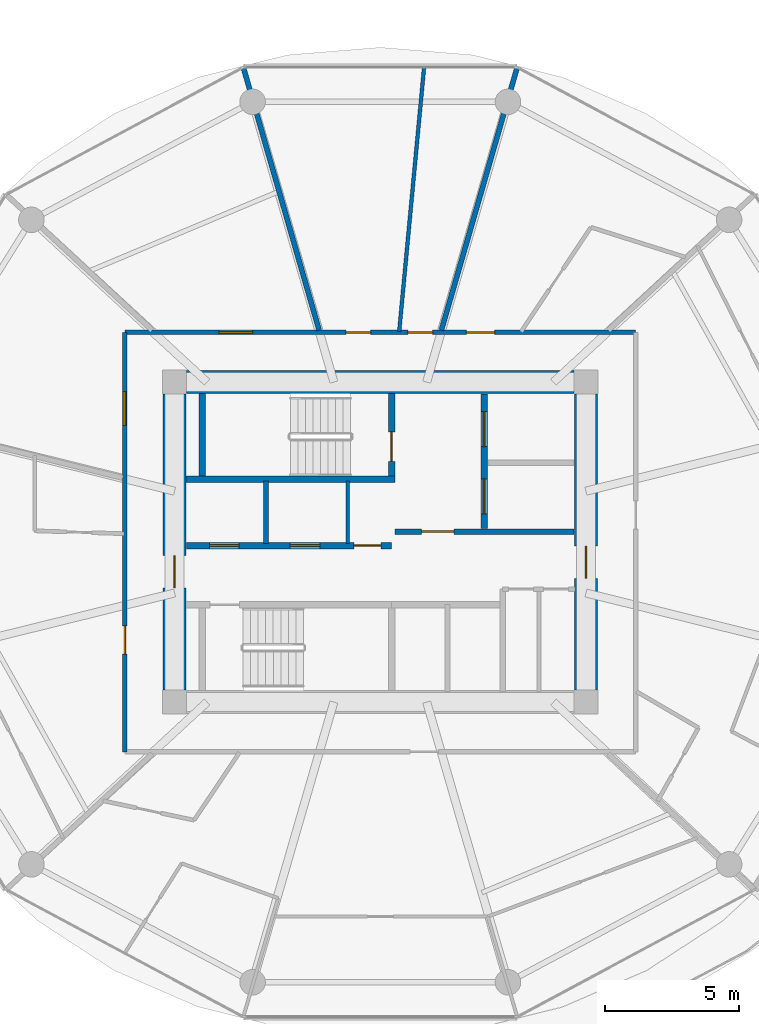
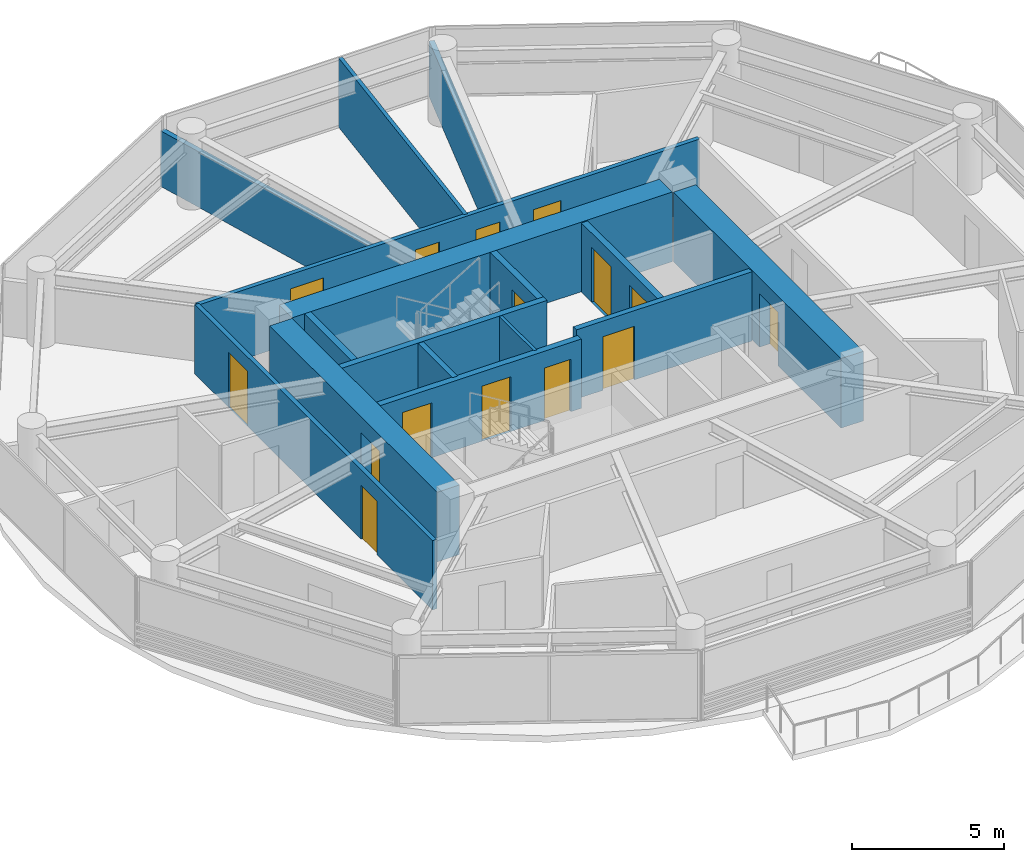
# One storey, part 20 of 27: 16 walls, 15 doors, 15 openings.
"""IFC4 building model written with IfcOpenShell, lengths in metres."""

import ifcopenshell
import ifcopenshell.guid

model = None  # the IFC model being written
_history = None  # IfcOwnerHistory: only IFC2X3 demands one
_inside = {}  # id of a spatial element -> (the spatial element, [elements in it])
_under = {}  # id of a project, library or spatial element -> (it, [spatial elements below it])
_declared = {}  # id of a project -> (the project, [libraries it declares])
_typed = {}  # id of a type object -> (the type object, [elements of that type])
_made_of = {}  # id of a material, layer set ... -> (it, [elements and type objects made of it])


def new_model(schema):
    """Start an empty IFC model of exactly this schema.

    Asked for "IFC4X3", IfcOpenShell would pick the latest addendum, in which some entities
    have other attributes; the version numbers below select the first issue.
    IFC2X3 requires an IfcOwnerHistory on every rooted entity: one is made here for all.
    """
    global model, _history
    if schema == "IFC4X3":
        model = ifcopenshell.file(schema_version=(4, 3, 0, 0))
    else:
        model = ifcopenshell.file(schema=schema)
    _inside.clear()
    _under.clear()
    _declared.clear()
    _typed.clear()
    _made_of.clear()
    _history = None
    if model.schema == "IFC2X3":
        org = make("IfcOrganization", Name="unknown")
        user = make(
            "IfcPersonAndOrganization",
            ThePerson=make("IfcPerson", FamilyName="unknown"),
            TheOrganization=org,
        )
        app = make(
            "IfcApplication",
            ApplicationDeveloper=org,
            Version="unknown",
            ApplicationFullName="unknown",
            ApplicationIdentifier="unknown",
        )
        _history = make(
            "IfcOwnerHistory",
            OwningUser=user,
            OwningApplication=app,
            ChangeAction="ADDED",
            CreationDate=0,
        )
    return model


def make(cls, **values):
    """One entity of the class cls with the attributes given. An attribute that is None is left unset."""
    return model.create_entity(
        cls, **{name: value for name, value in values.items() if value is not None}
    )


def rooted(cls, **values):
    """An entity with a GlobalId (a new one), such as an element, a storey or a relation."""
    return make(cls, GlobalId=ifcopenshell.guid.new(), OwnerHistory=_history, **values)


def si_unit(unit_type, name, prefix=None):
    """IfcSIUnit, for example si_unit("LENGTHUNIT", "METRE", prefix="MILLI")."""
    return make("IfcSIUnit", UnitType=unit_type, Prefix=prefix, Name=name)


def assignment(units):
    """IfcUnitAssignment: the units of a project."""
    return None if units is None else make("IfcUnitAssignment", Units=units)


def point(xyz):
    """IfcCartesianPoint."""
    return None if xyz is None else make("IfcCartesianPoint", Coordinates=xyz)


def direction(xyz):
    """IfcDirection."""
    return None if xyz is None else make("IfcDirection", DirectionRatios=xyz)


def frame(location, z_axis=None, x_axis=None):
    """IfcAxis2Placement3D, a coordinate frame: its origin and axes. An axis left out is left unset."""
    return make(
        "IfcAxis2Placement3D",
        Location=point(location),
        Axis=direction(z_axis),
        RefDirection=direction(x_axis),
    )


def frame_2d(location, x_axis=None):
    """IfcAxis2Placement2D, a coordinate frame in the plane: its origin and x axis."""
    return make(
        "IfcAxis2Placement2D", Location=point(location), RefDirection=direction(x_axis)
    )


def origin():
    """The frame at (0, 0, 0) with its axes left unset."""
    return frame((0.0, 0.0, 0.0))


def place(relative_to, where):
    """IfcLocalPlacement: puts the frame where relative to a parent placement (None: the world)."""
    return make(
        "IfcLocalPlacement", PlacementRelTo=relative_to, RelativePlacement=where
    )


def context(
    kind, dimensions, precision=None, world=None, true_north=None, identifier=None
):
    """IfcGeometricRepresentationContext, for example the 3D "Model" context."""
    return make(
        "IfcGeometricRepresentationContext",
        ContextIdentifier=identifier,
        ContextType=kind,
        CoordinateSpaceDimension=dimensions,
        Precision=precision,
        WorldCoordinateSystem=world,
        TrueNorth=true_north,
    )


def subcontext(parent, identifier, kind, view, scale=None):
    """IfcGeometricRepresentationSubContext, for example "Body" below "Model"."""
    return make(
        "IfcGeometricRepresentationSubContext",
        ContextIdentifier=identifier,
        ContextType=kind,
        ParentContext=parent,
        TargetScale=scale,
        TargetView=view,
    )


def project(units=None, contexts=None):
    """IfcProject with its units and contexts."""
    return rooted(
        "IfcProject",
        Name="project",
        RepresentationContexts=contexts,
        UnitsInContext=assignment(units),
    )


def spatial(cls, under=None, at=None, **own):
    """A site, building, storey or space (cls), placed at a placement, below another one or the project."""
    s = rooted(cls, ObjectPlacement=at, **own)
    if under is not None:
        _under.setdefault(under.id(), (under, []))[1].append(s)
    return s


def profile(cls, at=None, kind="AREA", **sizes):
    """A parametric profile (cls). Its sizes go by their IFC names, for example OverallWidth=200.0."""
    return make(cls, ProfileType=kind, Position=at, **sizes)


def rectangle(**sizes):
    """IfcRectangleProfileDef."""
    return profile("IfcRectangleProfileDef", **sizes)


def extrude(swept, where, along, depth):
    """IfcExtrudedAreaSolid: the profile swept, set in the frame where, extruded along a direction by depth."""
    return make(
        "IfcExtrudedAreaSolid",
        SweptArea=swept,
        Position=where,
        ExtrudedDirection=direction(along),
        Depth=depth,
    )


def shape(context_of_items, identifier, shape_type, items):
    """IfcShapeRepresentation: the items that make up one representation, for example the "Body"."""
    return make(
        "IfcShapeRepresentation",
        ContextOfItems=context_of_items,
        RepresentationIdentifier=identifier,
        RepresentationType=shape_type,
        Items=items,
    )


def source(mapping_origin, context_of_items, identifier, shape_type, items):
    """IfcRepresentationMap: a shape defined once, which mapped items show again and again."""
    return make(
        "IfcRepresentationMap",
        MappingOrigin=mapping_origin,
        MappedRepresentation=shape(context_of_items, identifier, shape_type, items),
    )


def transform(
    local_origin,
    x_axis=None,
    y_axis=None,
    z_axis=None,
    scale=None,
    scale2=None,
    scale3=None,
    uniform=True,
):
    """IfcCartesianTransformationOperator3D, or its non-uniform kind. x_axis, y_axis, z_axis: its Axis1, 2, 3."""
    if uniform:
        return make(
            "IfcCartesianTransformationOperator3D",
            Axis1=direction(x_axis),
            Axis2=direction(y_axis),
            LocalOrigin=point(local_origin),
            Scale=scale,
            Axis3=direction(z_axis),
        )
    return make(
        "IfcCartesianTransformationOperator3DnonUniform",
        Axis1=direction(x_axis),
        Axis2=direction(y_axis),
        LocalOrigin=point(local_origin),
        Scale=scale,
        Axis3=direction(z_axis),
        Scale2=scale2,
        Scale3=scale3,
    )


def mapped(mapping_source, mapping_target):
    """IfcMappedItem: shows the shape of a source again, moved by a transform."""
    return make(
        "IfcMappedItem", MappingSource=mapping_source, MappingTarget=mapping_target
    )


def material(Name=None, Category=None):
    """IfcMaterial."""
    return make("IfcMaterial", Name=Name, Category=Category)


def layer(
    of_material, thickness, ventilated=None, Name=None, Category=None, Priority=None
):
    """IfcMaterialLayer: one layer of a wall or slab, of a material (None: an air gap)."""
    return make(
        "IfcMaterialLayer",
        Material=of_material,
        LayerThickness=thickness,
        IsVentilated=ventilated,
        Name=Name,
        Category=Category,
        Priority=Priority,
    )


def layer_set(layers, Name=None):
    """IfcMaterialLayerSet."""
    return make("IfcMaterialLayerSet", MaterialLayers=layers, LayerSetName=Name)


def made_of(thing, what):
    """Note that an element or type object is made of a material, layer set ...; save() writes the relation."""
    if what is not None:
        _made_of.setdefault(what.id(), (what, []))[1].append(thing)
    return thing


def type_object(cls, material=None, **own):
    """A type object (cls), such as IfcWallType, which elements share."""
    return made_of(rooted(cls, **own), material)


def type_shapes(of_type, sources):
    """Give a type object the sources (RepresentationMaps) that its elements show as mapped items."""
    of_type.RepresentationMaps = sources


def element(
    cls,
    number,
    at=None,
    inside=None,
    cuts=None,
    type_object=None,
    material=None,
    context=None,
    identifier="Body",
    shape_type=None,
    held_by="IfcProductDefinitionShape",
    body=None,
    shapes=None,
    **own,
):
    """One element of the class cls, such as IfcWall. Its Tag is "e" and its number.

    at: its placement. inside: the storey or other place that contains it. cuts: it is an
    opening in that element (IfcRelVoidsElement). A single representation is given by context,
    identifier, shape_type and body (its items); several are given by shapes. held_by: the class
    of the entity that holds the representations. save() writes the other relations.
    """
    e = rooted(cls, Tag="e%d" % number, ObjectPlacement=at, **own)
    if body is not None:
        shapes = [shape(context, identifier, shape_type, body)]
    if shapes is not None:
        e.Representation = make(held_by, Representations=shapes)
    if inside is not None:
        _inside.setdefault(inside.id(), (inside, []))[1].append(e)
    if cuts is not None:
        rooted(
            "IfcRelVoidsElement", RelatingBuildingElement=cuts, RelatedOpeningElement=e
        )
    if type_object is not None:
        _typed.setdefault(type_object.id(), (type_object, []))[1].append(e)
    return made_of(e, material)


def fill(opening, filler):
    """IfcRelFillsElement: the door or window that sits in an opening."""
    return rooted(
        "IfcRelFillsElement",
        RelatingOpeningElement=opening,
        RelatedBuildingElement=filler,
    )


def aggregate(whole, parts):
    """IfcRelAggregates: a whole, such as a stair, and the parts it consists of."""
    return rooted("IfcRelAggregates", RelatingObject=whole, RelatedObjects=parts)


def save(model, path):
    """Write the relations noted so far, then the file.

    IfcRelAggregates (storeys below a building ...), IfcRelContainedInSpatialStructure (elements
    in a storey), IfcRelDefinesByType, IfcRelAssociatesMaterial and IfcRelDeclares: one each for
    every whole, place, type object, material and project.
    """
    for whole, parts in _under.values():
        aggregate(whole, parts)
    for where, things in _inside.values():
        rooted(
            "IfcRelContainedInSpatialStructure",
            RelatedElements=things,
            RelatingStructure=where,
        )
    for kind, things in _typed.values():
        rooted("IfcRelDefinesByType", RelatedObjects=things, RelatingType=kind)
    for what, things in _made_of.values():
        rooted("IfcRelAssociatesMaterial", RelatedObjects=things, RelatingMaterial=what)
    for by, libraries in _declared.values():
        rooted("IfcRelDeclares", RelatingContext=by, RelatedDefinitions=libraries)
    model.write(path)


model = new_model("IFC4")

# Units and contexts
model_context = context("Model", 3, precision=1e-05, world=origin(), true_north=direction((0.0, 1.0)))
body_context = subcontext(model_context, "Body", "Model", "MODEL_VIEW")
ifc_project = project(units=[si_unit("LENGTHUNIT", "METRE"), si_unit("AREAUNIT", "SQUARE_METRE"), si_unit("VOLUMEUNIT", "CUBIC_METRE"), si_unit("PLANEANGLEUNIT", "RADIAN"), si_unit("MASSUNIT", "GRAM", prefix="KILO")], contexts=[model_context])

# Site, building, storey
site_placement = place(None, origin())
site = spatial("IfcSite", under=ifc_project, at=site_placement, CompositionType="ELEMENT")
building_placement = place(site_placement, origin())
building = spatial("IfcBuilding", under=site, at=building_placement, Name="Norrkilde Senior Care Towers", CompositionType="ELEMENT")
storey_placement = place(building_placement, frame((0.0, 0.0, 30.75)))
storey = spatial("IfcBuildingStorey", under=building, at=storey_placement, Name="L08", CompositionType="ELEMENT", Elevation=30.75)

# Wall
ifc_material_1 = material(Name="Concrete C60/75", Category="concrete")
ifc_layer_1 = layer(ifc_material_1, 0.85009765625)
ifc_layer_set_1 = layer_set([ifc_layer_1], Name="Concrete C60/75")
wall_type_1 = type_object("IfcWallType", Name="Core Shear Wall Z1 850", PredefinedType="SHEAR", material=ifc_layer_set_1)
shared_shape_1 = source(origin(), body_context, "Body", "SweptSolid", [
    extrude(rectangle(XDim=14.39990234375, YDim=0.85009765625, at=frame_2d((7.199951171875, 0.0))), origin(), (0.0, 0.0, 1.0), 2.7900390625),
])
wall_1_placement = place(storey_placement, frame((20.800048828125, 5.949951171875, 0.0), z_axis=(0.0, 0.0, 1.0), x_axis=(1.0, 0.0, 0.0)))
element("IfcWall", 1, at=wall_1_placement, inside=storey, type_object=wall_type_1, Name="L08 Core E North Shear Wall", PredefinedType="SHEAR", context=body_context, shape_type="MappedRepresentation", body=[
    mapped(shared_shape_1, transform((0.0, 0.0, 0.0), x_axis=(1.0, 0.0, 0.0), y_axis=(0.0, 1.0, 0.0), z_axis=(0.0, 0.0, 1.0), scale=1.0)),
])

# Wall, opening, door
shared_shape_2 = source(origin(), body_context, "Body", "SweptSolid", [
    extrude(rectangle(XDim=11.0, YDim=0.85009765625, at=frame_2d((5.5, 0.0))), origin(), (0.0, 0.0, 1.0), 2.7900390625),
])
type_shapes(wall_type_1, [shared_shape_1, shared_shape_2])
wall_2_placement = place(storey_placement, frame((20.35009765625, -5.5, 0.0), z_axis=(0.0, 0.0, 1.0), x_axis=(0.0, 1.0, 0.0)))
wall_2 = element("IfcWall", 2, at=wall_2_placement, inside=storey, type_object=wall_type_1, Name="L08 Core E West Shear Wall", PredefinedType="SHEAR", context=body_context, shape_type="MappedRepresentation", body=[
    mapped(shared_shape_2, transform((0.0, 0.0, 0.0), x_axis=(1.0, 0.0, 0.0), y_axis=(0.0, 1.0, 0.0), z_axis=(0.0, 0.0, 1.0), scale=1.0)),
])
opening_1_placement = place(wall_2_placement, frame((3.800048828125, 0.0, 0.0)))
opening_1 = element("IfcOpeningElement", 3, at=opening_1_placement, cuts=wall_2, Name="Opening D-04", PredefinedType="OPENING", context=body_context, shape_type="SweptSolid", body=[
    extrude(rectangle(XDim=1.199951171875, YDim=2.14990234375, at=frame_2d((0.60009765625, 1.074951171875))), frame((0.0, 0.43505859375, 0.0), z_axis=(0.0, -1.0, 0.0), x_axis=(1.0, 0.0, 0.0)), (0.0, 0.0, 1.0), 0.8701171875),
])
ifc_material_2 = material(Name="Galvanised Painted Steel", Category="steel")
door_type_1 = type_object("IfcDoorType", Name="Firefighting Lobby Fire Door 1200x2150", OperationType="NOTDEFINED", PredefinedType="DOOR", material=ifc_material_2)
shared_shape_3 = source(origin(), body_context, "Body", "SweptSolid", [
    extrude(rectangle(XDim=1.199951171875, YDim=2.14990234375, at=frame_2d((0.60009765625, 1.074951171875))), frame((0.0, 0.02490234375, 0.0), z_axis=(0.0, -1.0, 0.0), x_axis=(1.0, 0.0, 0.0)), (0.0, 0.0, 1.0), 0.050048828125),
])
type_shapes(door_type_1, [shared_shape_3])
door_1_placement = place(opening_1_placement, frame((1.199951171875, 0.0, 0.0), z_axis=(0.0, 0.0, 1.0), x_axis=(-1.0, 0.0, 0.0)))
door_1 = element("IfcDoor", 4, at=door_1_placement, inside=storey, type_object=door_type_1, Name="L08 Core E West Portal Door", OperationType="SINGLE_SWING_LEFT", OverallHeight=2.14990234375, OverallWidth=1.199951171875, PredefinedType="DOOR", context=body_context, shape_type="MappedRepresentation", body=[
    mapped(shared_shape_3, transform((0.0, 0.0, 0.0), x_axis=(1.0, 0.0, 0.0), y_axis=(0.0, 1.0, 0.0), z_axis=(0.0, 0.0, 1.0), scale=1.0)),
])
fill(opening_1, door_1)

wall_3_placement = place(storey_placement, frame((35.64990234375, 5.5, 0.0), z_axis=(0.0, 0.0, 1.0), x_axis=(0.0, -1.0, 0.0)))
wall_3 = element("IfcWall", 5, at=wall_3_placement, inside=storey, type_object=wall_type_1, Name="L08 Core E East Shear Wall", PredefinedType="SHEAR", context=body_context, shape_type="MappedRepresentation", body=[
    mapped(shared_shape_2, transform((0.0, 0.0, 0.0), x_axis=(1.0, 0.0, 0.0), y_axis=(0.0, 1.0, 0.0), z_axis=(0.0, 0.0, 1.0), scale=1.0)),
])
opening_2_placement = place(wall_3_placement, frame((5.64990234375, 0.0, 0.0)))
opening_2 = element("IfcOpeningElement", 6, at=opening_2_placement, cuts=wall_3, Name="Opening D-04", PredefinedType="OPENING", context=body_context, shape_type="SweptSolid", body=[
    extrude(rectangle(XDim=1.199951171875, YDim=2.14990234375, at=frame_2d((0.60009765625, 1.074951171875))), frame((0.0, 0.43505859375, 0.0), z_axis=(0.0, -1.0, 0.0), x_axis=(1.0, 0.0, 0.0)), (0.0, 0.0, 1.0), 0.8701171875),
])
door_2_placement = place(opening_2_placement, frame((1.199951171875, 0.0, 0.0), z_axis=(0.0, 0.0, 1.0), x_axis=(-1.0, 0.0, 0.0)))
door_2 = element("IfcDoor", 7, at=door_2_placement, inside=storey, type_object=door_type_1, Name="L08 Core E East Portal Door", OperationType="SINGLE_SWING_RIGHT", OverallHeight=2.14990234375, OverallWidth=1.199951171875, PredefinedType="DOOR", context=body_context, shape_type="MappedRepresentation", body=[
    mapped(shared_shape_3, transform((0.0, 0.0, 0.0), x_axis=(1.0, 0.0, 0.0), y_axis=(0.0, 1.0, 0.0), z_axis=(0.0, 0.0, 1.0), scale=1.0)),
])
fill(opening_2, door_2)

# Wall, openings, doors
ifc_material_3 = material(Name="Concrete C45/55", Category="concrete")
ifc_layer_2 = layer(ifc_material_3, 0.239990234375)
ifc_layer_set_2 = layer_set([ifc_layer_2], Name="Concrete C45/55")
wall_type_2 = type_object("IfcWallType", Name="Lift and Plant Rated Enclosure Partition 240", PredefinedType="PARTITIONING", material=ifc_layer_set_2)
shared_shape_4 = source(origin(), body_context, "Body", "SweptSolid", [
    extrude(rectangle(XDim=5.0, YDim=0.239990234375, at=frame_2d((2.5, 0.0))), origin(), (0.0, 0.0, 1.0), 2.77490234375),
])
wall_4_placement = place(storey_placement, frame((31.860107421875, 0.5, 0.0), z_axis=(0.0, 0.0, 1.0), x_axis=(0.0, 1.0, 0.0)))
wall_4 = element("IfcWall", 8, at=wall_4_placement, inside=storey, type_object=wall_type_2, Name="WL-INT-L08-E-FFLE", PredefinedType="PARTITIONING", context=body_context, shape_type="MappedRepresentation", body=[
    mapped(shared_shape_4, transform((0.0, 0.0, 0.0), x_axis=(1.0, 0.0, 0.0), y_axis=(0.0, 1.0, 0.0), z_axis=(0.0, 0.0, 1.0), scale=1.0)),
])
opening_3_placement = place(wall_4_placement, frame((3.050048828125, 0.0, 0.0)))
opening_3 = element("IfcOpeningElement", 9, at=opening_3_placement, cuts=wall_4, Name="Opening LD-02", PredefinedType="OPENING", context=body_context, shape_type="SweptSolid", body=[
    extrude(rectangle(XDim=1.300048828125, YDim=2.199951171875, at=frame_2d((0.64990234375, 1.10009765625))), frame((0.0, 0.1298828125, 0.0), z_axis=(0.0, -1.0, 0.0), x_axis=(1.0, 0.0, 0.0)), (0.0, 0.0, 1.0), 0.260009765625),
])
opening_4_placement = place(wall_4_placement, frame((0.550048828125, 0.0, 0.0)))
opening_4 = element("IfcOpeningElement", 10, at=opening_4_placement, cuts=wall_4, Name="Opening LD-02", PredefinedType="OPENING", context=body_context, shape_type="SweptSolid", body=[
    extrude(rectangle(XDim=1.300048828125, YDim=2.199951171875, at=frame_2d((0.64990234375, 1.10009765625))), frame((0.0, 0.1298828125, 0.0), z_axis=(0.0, -1.0, 0.0), x_axis=(1.0, 0.0, 0.0)), (0.0, 0.0, 1.0), 0.260009765625),
])
ifc_material_4 = material(Name="Stainless Steel", Category="steel")
door_type_2 = type_object("IfcDoorType", Name="Stretcher and FFL Landing Sliding Door 1300x2200", OperationType="NOTDEFINED", PredefinedType="DOOR", material=ifc_material_4)
shared_shape_5 = source(origin(), body_context, "Body", "SweptSolid", [
    extrude(rectangle(XDim=1.300048828125, YDim=2.199951171875, at=frame_2d((0.64990234375, 1.10009765625))), frame((0.0, 0.02490234375, 0.0), z_axis=(0.0, -1.0, 0.0), x_axis=(1.0, 0.0, 0.0)), (0.0, 0.0, 1.0), 0.050048828125),
])
type_shapes(door_type_2, [shared_shape_5])
door_3_placement = place(opening_3_placement, origin())
door_3 = element("IfcDoor", 11, at=door_3_placement, inside=storey, type_object=door_type_2, Name="L08 Firefighting Lift E1 Landing Door", OperationType="SLIDING_TO_LEFT", OverallHeight=2.199951171875, OverallWidth=1.300048828125, PredefinedType="DOOR", context=body_context, shape_type="MappedRepresentation", body=[
    mapped(shared_shape_5, transform((0.0, 0.0, 0.0), x_axis=(1.0, 0.0, 0.0), y_axis=(0.0, 1.0, 0.0), z_axis=(0.0, 0.0, 1.0), scale=1.0)),
])
fill(opening_3, door_3)
door_4_placement = place(opening_4_placement, origin())
door_4 = element("IfcDoor", 12, at=door_4_placement, inside=storey, type_object=door_type_2, Name="L08 Stretcher Lift E1 Landing Door", OperationType="SLIDING_TO_RIGHT", OverallHeight=2.199951171875, OverallWidth=1.300048828125, PredefinedType="DOOR", context=body_context, shape_type="MappedRepresentation", body=[
    mapped(shared_shape_5, transform((0.0, 0.0, 0.0), x_axis=(1.0, 0.0, 0.0), y_axis=(0.0, 1.0, 0.0), z_axis=(0.0, 0.0, 1.0), scale=1.0)),
])
fill(opening_4, door_4)

# Wall, opening, door
ifc_layer_3 = layer(ifc_material_3, 0.2099609375)
ifc_layer_set_3 = layer_set([ifc_layer_3], Name="Concrete C45/55")
wall_type_3 = type_object("IfcWallType", Name="Firefighting Lobby Wall 210", PredefinedType="PARTITIONING", material=ifc_layer_set_3)
shared_shape_6 = source(origin(), body_context, "Body", "SweptSolid", [
    extrude(rectangle(XDim=6.659912109375, YDim=0.2099609375, at=frame_2d((3.330078125, 0.0))), origin(), (0.0, 0.0, 1.0), 2.77490234375),
])
type_shapes(wall_type_3, [shared_shape_6])
wall_5_placement = place(storey_placement, frame((28.5400390625, 0.389892578125, 0.0), z_axis=(0.0, 0.0, 1.0), x_axis=(1.0, 0.0, 0.0)))
wall_5 = element("IfcWall", 13, at=wall_5_placement, inside=storey, type_object=wall_type_3, Name="WL-INT-L08-E-FFLS", PredefinedType="PARTITIONING", context=body_context, shape_type="MappedRepresentation", body=[
    mapped(shared_shape_6, transform((0.0, 0.0, 0.0), x_axis=(1.0, 0.0, 0.0), y_axis=(0.0, 1.0, 0.0), z_axis=(0.0, 0.0, 1.0), scale=1.0)),
])
opening_5_placement = place(wall_5_placement, frame((1.0, 0.0, 0.0)))
opening_5 = element("IfcOpeningElement", 14, at=opening_5_placement, cuts=wall_5, Name="Opening D-04", PredefinedType="OPENING", context=body_context, shape_type="SweptSolid", body=[
    extrude(rectangle(XDim=1.199951171875, YDim=2.14990234375, at=frame_2d((0.60009765625, 1.074951171875))), frame((0.0, 0.114990234375, 0.0), z_axis=(0.0, -1.0, 0.0), x_axis=(1.0, 0.0, 0.0)), (0.0, 0.0, 1.0), 0.22998046875),
])
door_5_placement = place(opening_5_placement, frame((1.199951171875, 0.0, 0.0), z_axis=(0.0, 0.0, 1.0), x_axis=(-1.0, 0.0, 0.0)))
door_5 = element("IfcDoor", 15, at=door_5_placement, inside=storey, type_object=door_type_1, Name="L08 Firefighting Lobby E Door", OperationType="SINGLE_SWING_LEFT", OverallHeight=2.14990234375, OverallWidth=1.199951171875, PredefinedType="DOOR", context=body_context, shape_type="MappedRepresentation", body=[
    mapped(shared_shape_3, transform((0.0, 0.0, 0.0), x_axis=(1.0, 0.0, 0.0), y_axis=(0.0, 1.0, 0.0), z_axis=(0.0, 0.0, 1.0), scale=1.0)),
])
fill(opening_5, door_5)

# Wall, openings, doors
shared_shape_7 = source(origin(), body_context, "Body", "SweptSolid", [
    extrude(rectangle(XDim=7.619873046875, YDim=0.239990234375, at=frame_2d((3.81005859375, 0.0))), origin(), (0.0, 0.0, 1.0), 2.77490234375),
])
type_shapes(wall_type_2, [shared_shape_4, shared_shape_7])
wall_6_placement = place(storey_placement, frame((20.800048828125, -0.1298828125, 0.0), z_axis=(0.0, 0.0, 1.0), x_axis=(1.0, 0.0, 0.0)))
wall_6 = element("IfcWall", 16, at=wall_6_placement, inside=storey, type_object=wall_type_2, Name="WL-INT-L08-E-PKAS", PredefinedType="PARTITIONING", context=body_context, shape_type="MappedRepresentation", body=[
    mapped(shared_shape_7, transform((0.0, 0.0, 0.0), x_axis=(1.0, 0.0, 0.0), y_axis=(0.0, 1.0, 0.0), z_axis=(0.0, 0.0, 1.0), scale=1.0)),
])
opening_6_placement = place(wall_6_placement, frame((6.219970703125, 0.0, 0.0)))
opening_6 = element("IfcOpeningElement", 17, at=opening_6_placement, cuts=wall_6, Name="Opening D-10", PredefinedType="OPENING", context=body_context, shape_type="SweptSolid", body=[
    extrude(rectangle(XDim=1.0, YDim=2.10009765625, at=frame_2d((0.5, 1.050048828125))), frame((0.0, 0.1298828125, 0.0), z_axis=(0.0, -1.0, 0.0), x_axis=(1.0, 0.0, 0.0)), (0.0, 0.0, 1.0), 0.260009765625),
])
opening_7_placement = place(wall_6_placement, frame((0.85009765625, 0.0, 0.0)))
opening_7 = element("IfcOpeningElement", 18, at=opening_7_placement, cuts=wall_6, Name="Opening LD-01", PredefinedType="OPENING", context=body_context, shape_type="SweptSolid", body=[
    extrude(rectangle(XDim=1.10009765625, YDim=2.199951171875, at=frame_2d((0.550048828125, 1.10009765625))), frame((0.0, 0.1298828125, 0.0), z_axis=(0.0, -1.0, 0.0), x_axis=(1.0, 0.0, 0.0)), (0.0, 0.0, 1.0), 0.260009765625),
])
opening_8_placement = place(wall_6_placement, frame((3.85009765625, 0.0, 0.0)))
opening_8 = element("IfcOpeningElement", 19, at=opening_8_placement, cuts=wall_6, Name="Opening LD-01", PredefinedType="OPENING", context=body_context, shape_type="SweptSolid", body=[
    extrude(rectangle(XDim=1.10009765625, YDim=2.199951171875, at=frame_2d((0.550048828125, 1.10009765625))), frame((0.0, 0.1298828125, 0.0), z_axis=(0.0, -1.0, 0.0), x_axis=(1.0, 0.0, 0.0)), (0.0, 0.0, 1.0), 0.260009765625),
])
door_type_3 = type_object("IfcDoorType", Name="Plant and Riser Rated Door 1000x2100", OperationType="NOTDEFINED", PredefinedType="DOOR", material=ifc_material_2)
shared_shape_8 = source(origin(), body_context, "Body", "SweptSolid", [
    extrude(rectangle(XDim=1.0, YDim=2.10009765625, at=frame_2d((0.5, 1.050048828125))), frame((0.0, 0.02490234375, 0.0), z_axis=(0.0, -1.0, 0.0), x_axis=(1.0, 0.0, 0.0)), (0.0, 0.0, 1.0), 0.050048828125),
])
type_shapes(door_type_3, [shared_shape_8])
door_6_placement = place(opening_6_placement, frame((1.0, 0.0, 0.0), z_axis=(0.0, 0.0, 1.0), x_axis=(-1.0, 0.0, 0.0)))
door_6 = element("IfcDoor", 20, at=door_6_placement, inside=storey, type_object=door_type_3, Name="L08 Electrical Riser E Door", OperationType="SINGLE_SWING_LEFT", OverallHeight=2.10009765625, OverallWidth=1.0, PredefinedType="DOOR", context=body_context, shape_type="MappedRepresentation", body=[
    mapped(shared_shape_8, transform((0.0, 0.0, 0.0), x_axis=(1.0, 0.0, 0.0), y_axis=(0.0, 1.0, 0.0), z_axis=(0.0, 0.0, 1.0), scale=1.0)),
])
fill(opening_6, door_6)
door_type_4 = type_object("IfcDoorType", Name="Lift Landing Sliding Door 1100x2200", OperationType="NOTDEFINED", PredefinedType="DOOR", material=ifc_material_4)
shared_shape_9 = source(origin(), body_context, "Body", "SweptSolid", [
    extrude(rectangle(XDim=1.10009765625, YDim=2.199951171875, at=frame_2d((0.550048828125, 1.10009765625))), frame((0.0, 0.02490234375, 0.0), z_axis=(0.0, -1.0, 0.0), x_axis=(1.0, 0.0, 0.0)), (0.0, 0.0, 1.0), 0.050048828125),
])
type_shapes(door_type_4, [shared_shape_9])
door_7_placement = place(opening_7_placement, origin())
door_7 = element("IfcDoor", 21, at=door_7_placement, inside=storey, type_object=door_type_4, Name="L08 Passenger Lift E1 Landing Door", OperationType="SLIDING_TO_LEFT", OverallHeight=2.199951171875, OverallWidth=1.10009765625, PredefinedType="DOOR", context=body_context, shape_type="MappedRepresentation", body=[
    mapped(shared_shape_9, transform((0.0, 0.0, 0.0), x_axis=(1.0, 0.0, 0.0), y_axis=(0.0, 1.0, 0.0), z_axis=(0.0, 0.0, 1.0), scale=1.0)),
])
fill(opening_7, door_7)
door_8_placement = place(opening_8_placement, origin())
door_8 = element("IfcDoor", 22, at=door_8_placement, inside=storey, type_object=door_type_4, Name="L08 Passenger Lift E2 Landing Door", OperationType="SLIDING_TO_RIGHT", OverallHeight=2.199951171875, OverallWidth=1.10009765625, PredefinedType="DOOR", context=body_context, shape_type="MappedRepresentation", body=[
    mapped(shared_shape_9, transform((0.0, 0.0, 0.0), x_axis=(1.0, 0.0, 0.0), y_axis=(0.0, 1.0, 0.0), z_axis=(0.0, 0.0, 1.0), scale=1.0)),
])
fill(opening_8, door_8)

# Walls
ifc_material_5 = material(Name="Gypsum Acoustic Board")
ifc_layer_4 = layer(ifc_material_5, 0.114990234375)
ifc_layer_set_4 = layer_set([ifc_layer_4], Name="Gypsum Acoustic Board")
wall_type_4 = type_object("IfcWallType", Name="Internal Room Partition 115", PredefinedType="PARTITIONING", material=ifc_layer_set_4)
shared_shape_10 = source(origin(), body_context, "Body", "SweptSolid", [
    extrude(rectangle(XDim=2.330078125, YDim=0.114990234375, at=frame_2d((1.1650390625, 0.0))), origin(), (0.0, 0.0, 1.0), 2.77490234375),
])
type_shapes(wall_type_4, [shared_shape_10])
wall_7_placement = place(storey_placement, frame((26.7900390625, -0.050048828125, 0.0), z_axis=(0.0, 0.0, 1.0), x_axis=(0.0, 1.0, 0.0)))
element("IfcWall", 23, at=wall_7_placement, inside=storey, type_object=wall_type_4, Name="WL-INT-L08-E-RISW", PredefinedType="PARTITIONING", context=body_context, shape_type="MappedRepresentation", body=[
    mapped(shared_shape_10, transform((0.0, 0.0, 0.0), x_axis=(1.0, 0.0, 0.0), y_axis=(0.0, 1.0, 0.0), z_axis=(0.0, 0.0, 1.0), scale=1.0)),
])
ifc_layer_5 = layer(ifc_material_3, 0.199951171875)
ifc_layer_set_5 = layer_set([ifc_layer_5], Name="Concrete C45/55")
wall_type_5 = type_object("IfcWallType", Name="Shaft Division and Plant Partition 200", PredefinedType="PARTITIONING", material=ifc_layer_set_5)
shared_shape_11 = source(origin(), body_context, "Body", "SweptSolid", [
    extrude(rectangle(XDim=2.330078125, YDim=0.199951171875, at=frame_2d((1.1650390625, 0.0))), origin(), (0.0, 0.0, 1.0), 2.77490234375),
])
type_shapes(wall_type_5, [shared_shape_11])
wall_8_placement = place(storey_placement, frame((23.75, -0.050048828125, 0.0), z_axis=(0.0, 0.0, 1.0), x_axis=(0.0, 1.0, 0.0)))
element("IfcWall", 24, at=wall_8_placement, inside=storey, type_object=wall_type_5, Name="WL-INT-L08-E-PL12", PredefinedType="PARTITIONING", context=body_context, shape_type="MappedRepresentation", body=[
    mapped(shared_shape_11, transform((0.0, 0.0, 0.0), x_axis=(1.0, 0.0, 0.0), y_axis=(0.0, 1.0, 0.0), z_axis=(0.0, 0.0, 1.0), scale=1.0)),
])

# Wall, openings, doors
ifc_layer_6 = layer(ifc_material_5, 0.1650390625)
ifc_layer_set_6 = layer_set([ifc_layer_6], Name="Gypsum Acoustic Board")
wall_type_6 = type_object("IfcWallType", Name="Corridor Rated Partition 165", PredefinedType="PARTITIONING", material=ifc_layer_set_6)
shared_shape_12 = source(origin(), body_context, "Body", "SweptSolid", [
    extrude(rectangle(XDim=19.0, YDim=0.1650390625, at=frame_2d((9.5, 0.0))), origin(), (0.0, 0.0, 1.0), 2.77490234375),
])
wall_9_placement = place(storey_placement, frame((18.5, 7.800048828125, 0.0), z_axis=(0.0, 0.0, 1.0), x_axis=(1.0, 0.0, 0.0)))
wall_9 = element("IfcWall", 25, at=wall_9_placement, inside=storey, type_object=wall_type_6, Name="WL-INT-L08-E-CRW-N-0", PredefinedType="PARTITIONING", context=body_context, shape_type="MappedRepresentation", body=[
    mapped(shared_shape_12, transform((0.0, 0.0, 0.0), x_axis=(1.0, 0.0, 0.0), y_axis=(0.0, 1.0, 0.0), z_axis=(0.0, 0.0, 1.0), scale=1.0)),
])
opening_9_placement = place(wall_9_placement, frame((10.523193359375, 0.0, 0.0)))
opening_9 = element("IfcOpeningElement", 26, at=opening_9_placement, cuts=wall_9, Name="Opening D-08", PredefinedType="OPENING", context=body_context, shape_type="SweptSolid", body=[
    extrude(rectangle(XDim=0.919921875, YDim=2.10009765625, at=frame_2d((0.4599609375, 1.050048828125))), frame((0.0, 0.092529296875, 0.0), z_axis=(0.0, -1.0, 0.0), x_axis=(1.0, 0.0, 0.0)), (0.0, 0.0, 1.0), 0.18505859375),
])
opening_10_placement = place(wall_9_placement, frame((8.2255859375, 0.0, 0.0)))
opening_10 = element("IfcOpeningElement", 27, at=opening_10_placement, cuts=wall_9, Name="Opening D-08", PredefinedType="OPENING", context=body_context, shape_type="SweptSolid", body=[
    extrude(rectangle(XDim=0.919921875, YDim=2.10009765625, at=frame_2d((0.4599609375, 1.050048828125))), frame((0.0, 0.092529296875, 0.0), z_axis=(0.0, -1.0, 0.0), x_axis=(1.0, 0.0, 0.0)), (0.0, 0.0, 1.0), 0.18505859375),
])
opening_11_placement = place(wall_9_placement, frame((3.505615234375, 0.0, 0.0)))
opening_11 = element("IfcOpeningElement", 28, at=opening_11_placement, cuts=wall_9, Name="Opening D-05", PredefinedType="OPENING", context=body_context, shape_type="SweptSolid", body=[
    extrude(rectangle(XDim=1.25, YDim=2.199951171875, at=frame_2d((0.625, 1.10009765625))), frame((0.0, 0.092529296875, 0.0), z_axis=(0.0, -1.0, 0.0), x_axis=(1.0, 0.0, 0.0)), (0.0, 0.0, 1.0), 0.18505859375),
])
opening_12_placement = place(wall_9_placement, frame((12.705810546875, 0.0, 0.0)))
opening_12 = element("IfcOpeningElement", 29, at=opening_12_placement, cuts=wall_9, Name="Opening D-06", PredefinedType="OPENING", context=body_context, shape_type="SweptSolid", body=[
    extrude(rectangle(XDim=1.050048828125, YDim=2.14990234375, at=frame_2d((0.52490234375, 1.074951171875))), frame((0.0, 0.092529296875, 0.0), z_axis=(0.0, -1.0, 0.0), x_axis=(1.0, 0.0, 0.0)), (0.0, 0.0, 1.0), 0.18505859375),
])
ifc_material_6 = material(Name="Nordic Ash Timber", Category="wood")
door_type_5 = type_object("IfcDoorType", Name="Care Bedroom Bariatric Door 1250x2200", OperationType="NOTDEFINED", PredefinedType="DOOR", material=ifc_material_6)
shared_shape_13 = source(origin(), body_context, "Body", "SweptSolid", [
    extrude(rectangle(XDim=1.25, YDim=2.199951171875, at=frame_2d((0.625, 1.10009765625))), frame((0.0, 0.02490234375, 0.0), z_axis=(0.0, -1.0, 0.0), x_axis=(1.0, 0.0, 0.0)), (0.0, 0.0, 1.0), 0.050048828125),
])
type_shapes(door_type_5, [shared_shape_13])
door_9_placement = place(opening_11_placement, frame((1.25, 0.0, 0.0), z_axis=(0.0, 0.0, 1.0), x_axis=(-1.0, 0.0, 0.0)))
door_9 = element("IfcDoor", 30, at=door_9_placement, inside=storey, type_object=door_type_5, Name="L08 Resident Therapeutic Day Lounge Door", OperationType="SINGLE_SWING_RIGHT", OverallHeight=2.199951171875, OverallWidth=1.25, PredefinedType="DOOR", context=body_context, shape_type="MappedRepresentation", body=[
    mapped(shared_shape_13, transform((0.0, 0.0, 0.0), x_axis=(1.0, 0.0, 0.0), y_axis=(0.0, 1.0, 0.0), z_axis=(0.0, 0.0, 1.0), scale=1.0)),
])
fill(opening_11, door_9)
door_type_6 = type_object("IfcDoorType", Name="Accessible Wet Room Door 920x2100", OperationType="NOTDEFINED", PredefinedType="DOOR", material=ifc_material_6)
shared_shape_14 = source(origin(), body_context, "Body", "SweptSolid", [
    extrude(rectangle(XDim=0.919921875, YDim=2.10009765625, at=frame_2d((0.4599609375, 1.050048828125))), frame((0.0, 0.02490234375, 0.0), z_axis=(0.0, -1.0, 0.0), x_axis=(1.0, 0.0, 0.0)), (0.0, 0.0, 1.0), 0.050048828125),
])
type_shapes(door_type_6, [shared_shape_14])
door_10_placement = place(opening_9_placement, frame((0.919921875, 0.0, 0.0), z_axis=(0.0, 0.0, 1.0), x_axis=(-1.0, 0.0, 0.0)))
door_10 = element("IfcDoor", 31, at=door_10_placement, inside=storey, type_object=door_type_6, Name="L08 Accessible Restroom Door", OperationType="SINGLE_SWING_LEFT", OverallHeight=2.10009765625, OverallWidth=0.919921875, PredefinedType="DOOR", context=body_context, shape_type="MappedRepresentation", body=[
    mapped(shared_shape_14, transform((0.0, 0.0, 0.0), x_axis=(1.0, 0.0, 0.0), y_axis=(0.0, 1.0, 0.0), z_axis=(0.0, 0.0, 1.0), scale=1.0)),
])
fill(opening_9, door_10)
door_11_placement = place(opening_10_placement, frame((0.919921875, 0.0, 0.0), z_axis=(0.0, 0.0, 1.0), x_axis=(-1.0, 0.0, 0.0)))
door_11 = element("IfcDoor", 32, at=door_11_placement, inside=storey, type_object=door_type_6, Name="L08 Public Restroom Door", OperationType="SINGLE_SWING_RIGHT", OverallHeight=2.10009765625, OverallWidth=0.919921875, PredefinedType="DOOR", context=body_context, shape_type="MappedRepresentation", body=[
    mapped(shared_shape_14, transform((0.0, 0.0, 0.0), x_axis=(1.0, 0.0, 0.0), y_axis=(0.0, 1.0, 0.0), z_axis=(0.0, 0.0, 1.0), scale=1.0)),
])
fill(opening_10, door_11)
door_type_7 = type_object("IfcDoorType", Name="Apartment Entrance Fire Door 1050x2150", OperationType="NOTDEFINED", PredefinedType="DOOR", material=ifc_material_6)
shared_shape_15 = source(origin(), body_context, "Body", "SweptSolid", [
    extrude(rectangle(XDim=1.050048828125, YDim=2.14990234375, at=frame_2d((0.52490234375, 1.074951171875))), frame((0.0, 0.02490234375, 0.0), z_axis=(0.0, -1.0, 0.0), x_axis=(1.0, 0.0, 0.0)), (0.0, 0.0, 1.0), 0.050048828125),
])
type_shapes(door_type_7, [shared_shape_15])
door_12_placement = place(opening_12_placement, frame((1.050048828125, 0.0, 0.0), z_axis=(0.0, 0.0, 1.0), x_axis=(-1.0, 0.0, 0.0)))
door_12 = element("IfcDoor", 33, at=door_12_placement, inside=storey, type_object=door_type_7, Name="L08 Studio 08G Entrance Door", OperationType="SINGLE_SWING_LEFT", OverallHeight=2.14990234375, OverallWidth=1.050048828125, PredefinedType="DOOR", context=body_context, shape_type="MappedRepresentation", body=[
    mapped(shared_shape_15, transform((0.0, 0.0, 0.0), x_axis=(1.0, 0.0, 0.0), y_axis=(0.0, 1.0, 0.0), z_axis=(0.0, 0.0, 1.0), scale=1.0)),
])
fill(opening_12, door_12)

shared_shape_16 = source(origin(), body_context, "Body", "SweptSolid", [
    extrude(rectangle(XDim=15.60009765625, YDim=0.1650390625, at=frame_2d((7.800048828125, 0.0))), origin(), (0.0, 0.0, 1.0), 2.77490234375),
])
type_shapes(wall_type_6, [shared_shape_12, shared_shape_16])
wall_10_placement = place(storey_placement, frame((18.5, -7.800048828125, 0.0), z_axis=(0.0, 0.0, 1.0), x_axis=(0.0, 1.0, 0.0)))
wall_10 = element("IfcWall", 34, at=wall_10_placement, inside=storey, type_object=wall_type_6, Name="WL-INT-L08-E-CRW-W-0", PredefinedType="PARTITIONING", context=body_context, shape_type="MappedRepresentation", body=[
    mapped(shared_shape_16, transform((0.0, 0.0, 0.0), x_axis=(1.0, 0.0, 0.0), y_axis=(0.0, 1.0, 0.0), z_axis=(0.0, 0.0, 1.0), scale=1.0)),
])
opening_13_placement = place(wall_10_placement, frame((12.141357421875, 0.0, 0.0)))
opening_13 = element("IfcOpeningElement", 35, at=opening_13_placement, cuts=wall_10, Name="Opening D-05", PredefinedType="OPENING", context=body_context, shape_type="SweptSolid", body=[
    extrude(rectangle(XDim=1.25, YDim=2.199951171875, at=frame_2d((0.625, 1.10009765625))), frame((0.0, 0.092529296875, 0.0), z_axis=(0.0, -1.0, 0.0), x_axis=(1.0, 0.0, 0.0)), (0.0, 0.0, 1.0), 0.18505859375),
])
opening_14_placement = place(wall_10_placement, frame((3.63037109375, 0.0, 0.0)))
opening_14 = element("IfcOpeningElement", 36, at=opening_14_placement, cuts=wall_10, Name="Opening D-06", PredefinedType="OPENING", context=body_context, shape_type="SweptSolid", body=[
    extrude(rectangle(XDim=1.050048828125, YDim=2.14990234375, at=frame_2d((0.52490234375, 1.074951171875))), frame((0.0, 0.092529296875, 0.0), z_axis=(0.0, -1.0, 0.0), x_axis=(1.0, 0.0, 0.0)), (0.0, 0.0, 1.0), 0.18505859375),
])
door_13_placement = place(opening_13_placement, frame((1.25, 0.0, 0.0), z_axis=(0.0, 0.0, 1.0), x_axis=(-1.0, 0.0, 0.0)))
door_13 = element("IfcDoor", 37, at=door_13_placement, inside=storey, type_object=door_type_5, Name="L08 Care Coordination Charting Office Door", OperationType="SINGLE_SWING_LEFT", OverallHeight=2.199951171875, OverallWidth=1.25, PredefinedType="DOOR", context=body_context, shape_type="MappedRepresentation", body=[
    mapped(shared_shape_13, transform((0.0, 0.0, 0.0), x_axis=(1.0, 0.0, 0.0), y_axis=(0.0, 1.0, 0.0), z_axis=(0.0, 0.0, 1.0), scale=1.0)),
])
fill(opening_13, door_13)
door_14_placement = place(opening_14_placement, frame((1.050048828125, 0.0, 0.0), z_axis=(0.0, 0.0, 1.0), x_axis=(-1.0, 0.0, 0.0)))
door_14 = element("IfcDoor", 38, at=door_14_placement, inside=storey, type_object=door_type_7, Name="Apartment 08D Entrance Door", OperationType="SINGLE_SWING_RIGHT", OverallHeight=2.14990234375, OverallWidth=1.050048828125, PredefinedType="DOOR", context=body_context, shape_type="MappedRepresentation", body=[
    mapped(shared_shape_15, transform((0.0, 0.0, 0.0), x_axis=(1.0, 0.0, 0.0), y_axis=(0.0, 1.0, 0.0), z_axis=(0.0, 0.0, 1.0), scale=1.0)),
])
fill(opening_14, door_14)

# Walls
ifc_layer_7 = layer(ifc_material_3, 0.239990234375)
ifc_layer_set_7 = layer_set([ifc_layer_7], Name="Concrete C45/55")
wall_type_7 = type_object("IfcWallType", Name="Shaft and Stair Enclosure Wall 240", PredefinedType="PARTITIONING", material=ifc_layer_set_7)
shared_shape_17 = source(origin(), body_context, "Body", "SweptSolid", [
    extrude(rectangle(XDim=7.76513671875, YDim=0.239990234375, at=frame_2d((3.882568359375, 0.0))), origin(), (0.0, 0.0, 1.0), 2.7900390625),
])
wall_11_placement = place(storey_placement, frame((20.77490234375, 2.330078125, 0.0), z_axis=(0.0, 0.0, 1.0), x_axis=(1.0, 0.0, 0.0)))
element("IfcWall", 39, at=wall_11_placement, inside=storey, type_object=wall_type_7, Name="WL-INT-L08-E-ST1S", PredefinedType="PARTITIONING", context=body_context, shape_type="MappedRepresentation", body=[
    mapped(shared_shape_17, transform((0.0, 0.0, 0.0), x_axis=(1.0, 0.0, 0.0), y_axis=(0.0, 1.0, 0.0), z_axis=(0.0, 0.0, 1.0), scale=1.0)),
])
shared_shape_18 = source(origin(), body_context, "Body", "SweptSolid", [
    extrude(rectangle(XDim=3.074951171875, YDim=0.239990234375, at=frame_2d((1.53759765625, 0.0))), origin(), (0.0, 0.0, 1.0), 2.7900390625),
])
type_shapes(wall_type_7, [shared_shape_17, shared_shape_18])
wall_12_placement = place(storey_placement, frame((21.3798828125, 2.449951171875, 0.0), z_axis=(0.0, 0.0, 1.0), x_axis=(0.0, 1.0, 0.0)))
element("IfcWall", 40, at=wall_12_placement, inside=storey, type_object=wall_type_7, Name="WL-INT-L08-E-ST1W", PredefinedType="PARTITIONING", context=body_context, shape_type="MappedRepresentation", body=[
    mapped(shared_shape_18, transform((0.0, 0.0, 0.0), x_axis=(1.0, 0.0, 0.0), y_axis=(0.0, 1.0, 0.0), z_axis=(0.0, 0.0, 1.0), scale=1.0)),
])

# Wall, opening, door
wall_13_placement = place(storey_placement, frame((28.419921875, 2.449951171875, 0.0), z_axis=(0.0, 0.0, 1.0), x_axis=(0.0, 1.0, 0.0)))
wall_13 = element("IfcWall", 41, at=wall_13_placement, inside=storey, type_object=wall_type_7, Name="WL-INT-L08-E-ST1E", PredefinedType="PARTITIONING", context=body_context, shape_type="MappedRepresentation", body=[
    mapped(shared_shape_18, transform((0.0, 0.0, 0.0), x_axis=(1.0, 0.0, 0.0), y_axis=(0.0, 1.0, 0.0), z_axis=(0.0, 0.0, 1.0), scale=1.0)),
])
opening_15_placement = place(wall_13_placement, frame((0.550048828125, 0.0, 0.0)))
opening_15 = element("IfcOpeningElement", 42, at=opening_15_placement, cuts=wall_13, Name="Opening D-03", PredefinedType="OPENING", context=body_context, shape_type="SweptSolid", body=[
    extrude(rectangle(XDim=1.10009765625, YDim=2.14990234375, at=frame_2d((0.550048828125, 1.074951171875))), frame((0.0, 0.1298828125, 0.0), z_axis=(0.0, -1.0, 0.0), x_axis=(1.0, 0.0, 0.0)), (0.0, 0.0, 1.0), 0.260009765625),
])
door_type_8 = type_object("IfcDoorType", Name="Stairwell Protected Fire Door 1100x2150", OperationType="NOTDEFINED", PredefinedType="DOOR", material=ifc_material_2)
shared_shape_19 = source(origin(), body_context, "Body", "SweptSolid", [
    extrude(rectangle(XDim=1.10009765625, YDim=2.14990234375, at=frame_2d((0.550048828125, 1.074951171875))), frame((0.0, 0.02490234375, 0.0), z_axis=(0.0, -1.0, 0.0), x_axis=(1.0, 0.0, 0.0)), (0.0, 0.0, 1.0), 0.050048828125),
])
type_shapes(door_type_8, [shared_shape_19])
door_15_placement = place(opening_15_placement, origin())
door_15 = element("IfcDoor", 43, at=door_15_placement, inside=storey, type_object=door_type_8, Name="L08 Stair E1 Fire Door", OperationType="SINGLE_SWING_LEFT", OverallHeight=2.14990234375, OverallWidth=1.10009765625, PredefinedType="DOOR", context=body_context, shape_type="MappedRepresentation", body=[
    mapped(shared_shape_19, transform((0.0, 0.0, 0.0), x_axis=(1.0, 0.0, 0.0), y_axis=(0.0, 1.0, 0.0), z_axis=(0.0, 0.0, 1.0), scale=1.0)),
])
fill(opening_15, door_15)

# Walls
ifc_layer_8 = layer(ifc_material_5, 0.18994140625)
ifc_layer_set_8 = layer_set([ifc_layer_8], Name="Gypsum Acoustic Board")
wall_type_8 = type_object("IfcWallType", Name="Unit Demising Acoustic Wall 190", PredefinedType="PARTITIONING", material=ifc_layer_set_8)
shared_shape_20 = source(origin(), body_context, "Body", "SweptSolid", [
    extrude(rectangle(XDim=10.196044921875, YDim=0.18994140625, at=frame_2d((5.09814453125, 0.0))), origin(), (0.0, 0.0, 1.0), 2.22509765625),
])
type_shapes(wall_type_8, [shared_shape_20])
for number, where, z_axis, x_axis, name in (
    (44, (30.27294921875, 7.8798828125, 0.0), (0.0, 0.0, 1.0), (0.277136420347, 0.960830580549, 0.0), "WL-INT-L08-E-DEM-02-0"),
    (45, (25.72705078125, 7.8798828125, 0.0), (0.0, 0.0, 1.0), (-0.277136420347, 0.960830580549, 0.0), "WL-INT-L08-E-DEM-03-0"),
):
    element("IfcWall", number, at=place(storey_placement, frame(where, z_axis=z_axis, x_axis=x_axis)), inside=storey, type_object=wall_type_8, Name=name, PredefinedType="PARTITIONING", context=body_context, shape_type="MappedRepresentation", body=[
        mapped(shared_shape_20, transform((0.0, 0.0, 0.0), x_axis=(1.0, 0.0, 0.0), y_axis=(0.0, 1.0, 0.0), z_axis=(0.0, 0.0, 1.0), scale=1.0)),
    ])
ifc_layer_9 = layer(ifc_material_5, 0.139892578125)
ifc_layer_set_9 = layer_set([ifc_layer_9], Name="Gypsum Acoustic Board")
wall_type_9 = type_object("IfcWallType", Name="En-suite Wet Room Wall 140", PredefinedType="PARTITIONING", material=ifc_layer_set_9)
shared_shape_21 = source(origin(), body_context, "Body", "SweptSolid", [
    extrude(rectangle(XDim=9.89013671875, YDim=0.139892578125, at=frame_2d((4.945068359375, 0.0))), origin(), (0.0, 0.0, 1.0), 2.77490234375),
])
type_shapes(wall_type_9, [shared_shape_21])
wall_14_placement = place(storey_placement, frame((28.7041015625, 7.830078125, 0.0), z_axis=(0.0, 0.0, 1.0), x_axis=(0.093780403478, 0.995592906726, 0.0)))
element("IfcWall", 46, at=wall_14_placement, inside=storey, type_object=wall_type_9, Name="WL-INT-L08-E-MID-02", PredefinedType="PARTITIONING", context=body_context, shape_type="MappedRepresentation", body=[
    mapped(shared_shape_21, transform((0.0, 0.0, 0.0), x_axis=(1.0, 0.0, 0.0), y_axis=(0.0, 1.0, 0.0), z_axis=(0.0, 0.0, 1.0), scale=1.0)),
])

save(model, "model.ifc")
